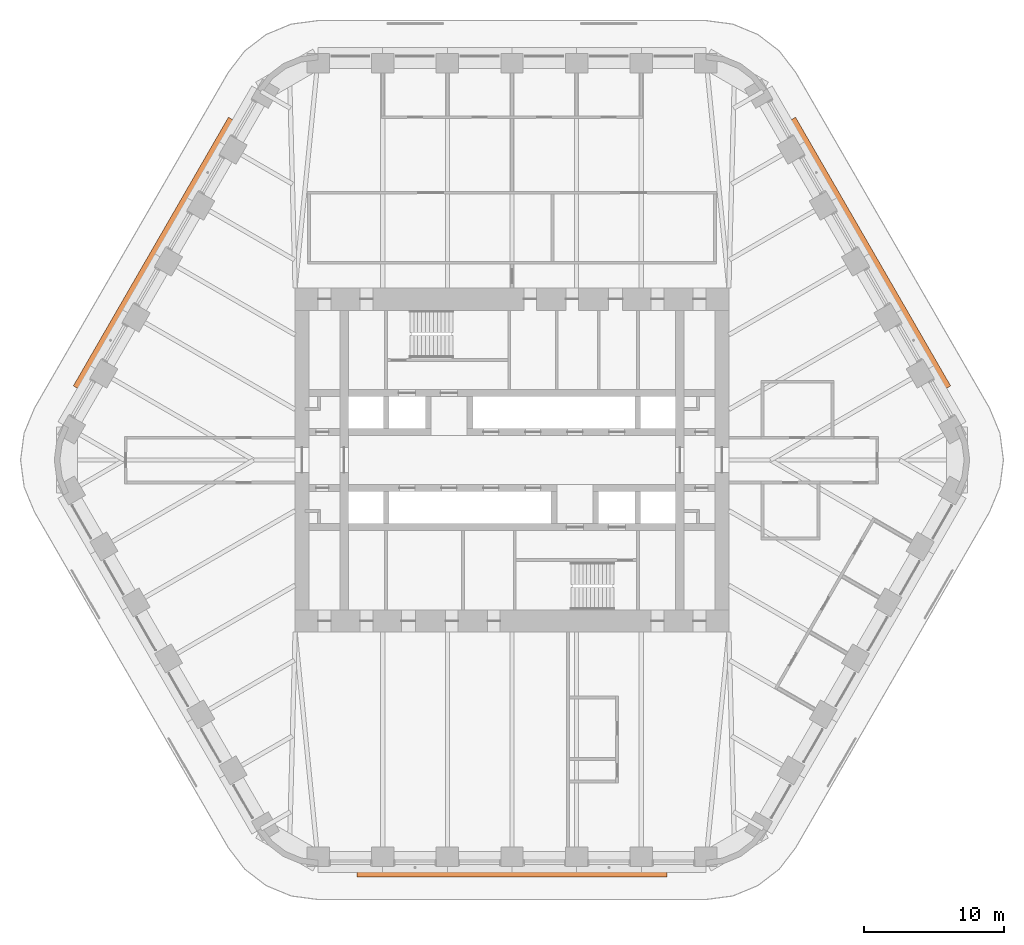
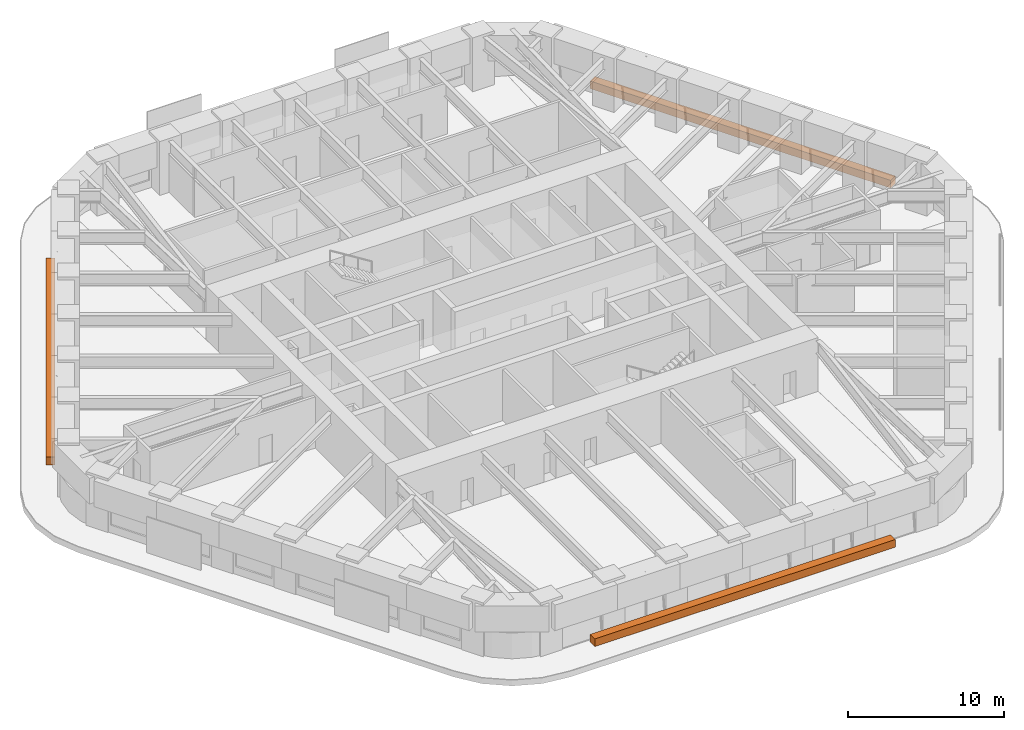
# One storey, part 20 of 20: 3 proxies.
"""IFC4 building model written with IfcOpenShell, lengths in metres."""

from ifc_helpers import new_model, si_unit, direction, frame, origin, origin_2d, place, context, subcontext, project, spatial, rectangle, extrude, material, element, save


model = new_model("IFC4")

# Units and contexts
model_context = context("Model", 3, precision=1e-05, world=origin(), true_north=direction((0.0, 1.0)))
body_context = subcontext(model_context, "Body", "Model", "MODEL_VIEW")
ifc_project = project(units=[si_unit("LENGTHUNIT", "METRE"), si_unit("AREAUNIT", "SQUARE_METRE"), si_unit("VOLUMEUNIT", "CUBIC_METRE"), si_unit("PLANEANGLEUNIT", "RADIAN"), si_unit("MASSUNIT", "GRAM", prefix="KILO")], contexts=[model_context])

# Site, building, storey
site_placement = place(None, origin())
site = spatial("IfcSite", under=ifc_project, at=site_placement, CompositionType="ELEMENT")
building_placement = place(site_placement, origin())
building = spatial("IfcBuilding", under=site, at=building_placement, Name="Tarfa Lantern Tower", CompositionType="ELEMENT")
storey_placement = place(building_placement, frame((0.0, 0.0, 223.89990234375)))
storey = spatial("IfcBuildingStorey", under=building, at=storey_placement, Name="L50", CompositionType="ELEMENT", Elevation=223.89990234375)

# Proxies
ifc_material = material(Name="Planting bed")
for number, where, z_axis, x_axis, name in (
    (1, (25.5478515625, 14.75, 0.0), (0.0, 0.0, 1.0), (-0.5, 0.866025403784, 0.0), "Ledge planter"),
    (2, (-25.5478515625, 14.75, 0.0), (0.0, 0.0, 1.0), (-0.5, -0.866025403784, 0.0), "Ledge planter"),
    (3, (0.0, -29.5, 0.0), (0.0, 0.0, 1.0), (1.0, 0.0, 0.0), "Ledge planter"),
):
    element("IfcBuildingElementProxy", number, at=place(storey_placement, frame(where, z_axis=z_axis, x_axis=x_axis)), inside=storey, material=ifc_material, Name=name, ObjectType="PLANTER", PredefinedType="USERDEFINED", context=body_context, shape_type="SweptSolid", body=[
        extrude(rectangle(XDim=22.170166015625, YDim=0.60009765625, at=origin_2d()), origin(), (0.0, 0.0, 1.0), 0.60009765625),
    ])

save(model, "model.ifc")
